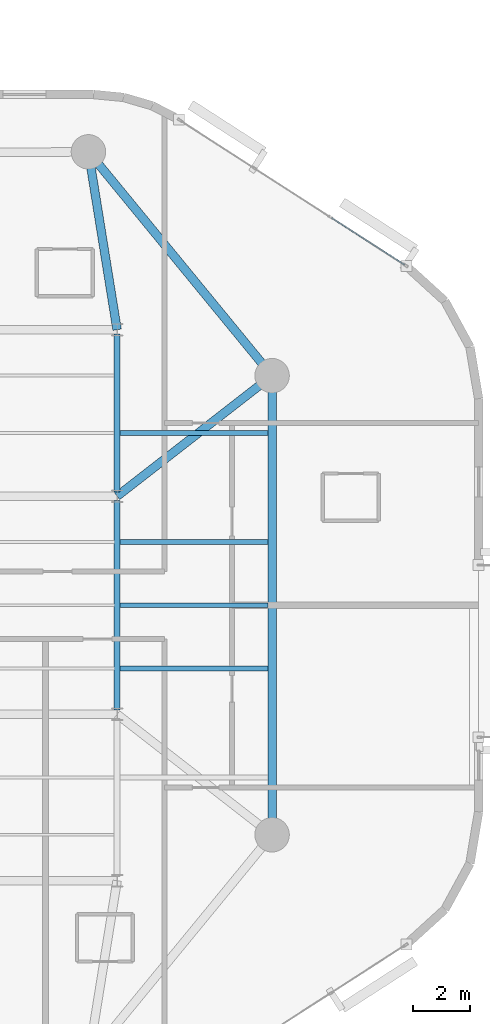
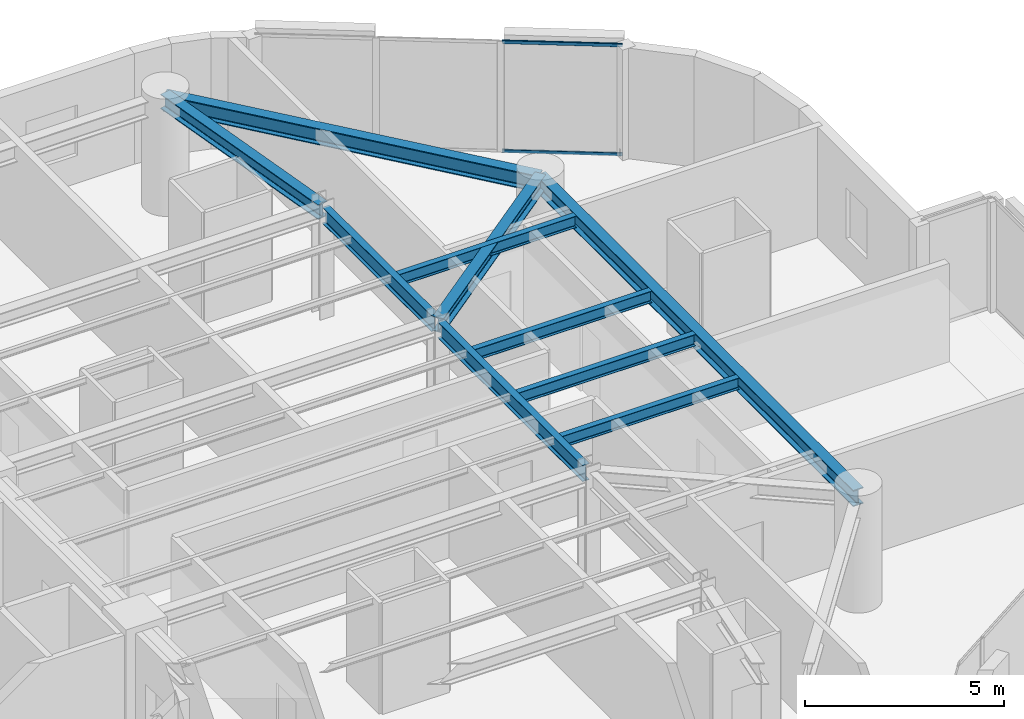
# One storey, part 5 of 16: 10 beams, 2 members, 1 element without a shape of its own.
"""IFC4 building model written with IfcOpenShell, lengths in metres."""

from ifc_helpers import new_model, si_unit, direction, frame, origin, origin_2d, place, context, subcontext, project, spatial, hollow_rectangle, i_section, extrude, material, layer, layer_set, material_profile, profile_set, type_object, element, aggregate, save


model = new_model("IFC4")

# Units and contexts
model_context = context("Model", 3, precision=1e-05, world=origin(), true_north=direction((0.0, 1.0)))
body_context = subcontext(model_context, "Body", "Model", "MODEL_VIEW")
ifc_project = project(units=[si_unit("LENGTHUNIT", "METRE"), si_unit("AREAUNIT", "SQUARE_METRE"), si_unit("VOLUMEUNIT", "CUBIC_METRE"), si_unit("PLANEANGLEUNIT", "RADIAN"), si_unit("MASSUNIT", "GRAM", prefix="KILO")], contexts=[model_context])

# Site, building, storey
site_placement = place(None, origin())
site = spatial("IfcSite", under=ifc_project, at=site_placement, CompositionType="ELEMENT")
building_placement = place(site_placement, origin())
building = spatial("IfcBuilding", under=site, at=building_placement, Name="An Khanh Terracotta Commons", CompositionType="ELEMENT")
storey_placement = place(building_placement, frame((0.0, 0.0, 151.0)))
storey = spatial("IfcBuildingStorey", under=building, at=storey_placement, Name="L39", CompositionType="ELEMENT", Elevation=151.0)

# Beams
ifc_material_1 = material(Name="Steel S355J2", Category="steel")
ifc_material_profile_1 = material_profile(ifc_material_1, i_section(OverallWidth=0.300048828125, OverallDepth=0.449951171875, WebThickness=0.013916015625, FlangeThickness=0.02587890625, FilletRadius=0.027099609375, at=origin_2d()), Name="HEB450")
ifc_profile_set_1 = profile_set([ifc_material_profile_1], Name="Steel S355J2")
beam_type_1 = type_object("IfcBeamType", Name="BM-HEB450", PredefinedType="BEAM", material=ifc_profile_set_1)
beam_1_placement = place(storey_placement, frame((55.800048828125, 32.0, 3.175048828125), z_axis=(-0.789363746927, -0.61392578952, 0.0), x_axis=(0.61392578952, -0.789363746927, 0.0)))
element("IfcBeam", 1, at=beam_1_placement, inside=storey, type_object=beam_type_1, Name="L39 Mega-Column Tie Girder 4", PredefinedType="BEAM", context=body_context, shape_type="SweptSolid", body=[
    extrude(i_section(OverallWidth=0.300048828125, OverallDepth=0.449951171875, WebThickness=0.013916015625, FlangeThickness=0.02587890625, FilletRadius=0.027099609375, at=origin_2d()), origin(), (0.0, 0.0, 1.0), 6.841064453125),
])
beam_2_placement = place(storey_placement, frame((49.39990234375, 39.800048828125, 3.175048828125), z_axis=(0.159233661074, -0.987240923575, 0.0), x_axis=(0.987240923575, 0.159233661074, 0.0)))
element("IfcBeam", 2, at=beam_2_placement, inside=storey, type_object=beam_type_1, Name="L39 Mega-Column Tie Girder 5", PredefinedType="BEAM", context=body_context, shape_type="SweptSolid", body=[
    extrude(i_section(OverallWidth=0.300048828125, OverallDepth=0.449951171875, WebThickness=0.013916015625, FlangeThickness=0.02587890625, FilletRadius=0.027099609375, at=origin_2d()), origin(), (0.0, 0.0, 1.0), 6.280029296875),
])
ifc_material_profile_2 = material_profile(ifc_material_1, i_section(OverallWidth=0.300048828125, OverallDepth=0.5, WebThickness=0.014404296875, FlangeThickness=0.028076171875, FilletRadius=0.027099609375, at=origin_2d()), Name="HEB500")
ifc_profile_set_2 = profile_set([ifc_material_profile_2], Name="Steel S355J2")
beam_type_2 = type_object("IfcBeamType", Name="BM-HEB500", PredefinedType="BEAM", material=ifc_profile_set_2)
beam_3_placement = place(storey_placement, frame((55.800048828125, 16.0, 3.14990234375), z_axis=(0.0, 1.0, 0.0), x_axis=(-1.0, 0.0, 0.0)))
element("IfcBeam", 3, at=beam_3_placement, inside=storey, type_object=beam_type_2, Name="L39 Perimeter Ring Spandrel 3", PredefinedType="BEAM", context=body_context, shape_type="SweptSolid", body=[
    extrude(i_section(OverallWidth=0.300048828125, OverallDepth=0.5, WebThickness=0.014404296875, FlangeThickness=0.028076171875, FilletRadius=0.027099609375, at=origin_2d()), origin(), (0.0, 0.0, 1.0), 16.0),
])
beam_4_placement = place(storey_placement, frame((55.800048828125, 32.0, 3.14990234375), z_axis=(-0.634322915223, 0.7730681983, 0.0), x_axis=(-0.7730681983, -0.634322915223, 0.0)))
element("IfcBeam", 4, at=beam_4_placement, inside=storey, type_object=beam_type_2, Name="L39 Perimeter Ring Spandrel 4", PredefinedType="BEAM", context=body_context, shape_type="SweptSolid", body=[
    extrude(i_section(OverallWidth=0.300048828125, OverallDepth=0.5, WebThickness=0.014404296875, FlangeThickness=0.028076171875, FilletRadius=0.027099609375, at=origin_2d()), origin(), (0.0, 0.0, 1.0), 10.08984375),
])
ifc_material_profile_3 = material_profile(ifc_material_1, i_section(OverallWidth=0.169921875, OverallDepth=0.360107421875, WebThickness=0.008056640625, FlangeThickness=0.0126953125, FilletRadius=0.01806640625, at=origin_2d()), Name="IPE360")
ifc_profile_set_3 = profile_set([ifc_material_profile_3], Name="Steel S355J2")
beam_type_3 = type_object("IfcBeamType", Name="BM-IPE360", PredefinedType="JOIST", material=ifc_profile_set_3)
for number, where, z_axis, x_axis, name in (
    (5, (50.5, 21.800048828125, 3.219970703125), (1.0, 0.0, 0.0), (0.0, 1.0, 0.0), "L39 Riverfront Composite Joist 3"),
    (6, (50.5, 24.0, 3.219970703125), (1.0, 0.0, 0.0), (0.0, 1.0, 0.0), "L39 Riverfront Composite Joist 4"),
    (7, (50.5, 26.199951171875, 3.219970703125), (1.0, 0.0, 0.0), (0.0, 1.0, 0.0), "L39 Riverfront Composite Joist 5"),
    (8, (50.5, 30.0, 3.219970703125), (1.0, 0.0, 0.0), (0.0, 1.0, 0.0), "L39 Riverfront Composite Joist 6"),
):
    element("IfcBeam", number, at=place(storey_placement, frame(where, z_axis=z_axis, x_axis=x_axis)), inside=storey, type_object=beam_type_3, Name=name, PredefinedType="JOIST", context=body_context, shape_type="SweptSolid", body=[
        extrude(i_section(OverallWidth=0.169921875, OverallDepth=0.360107421875, WebThickness=0.008056640625, FlangeThickness=0.0126953125, FilletRadius=0.01806640625, at=origin_2d()), origin(), (0.0, 0.0, 1.0), 5.14990234375),
    ])
ifc_material_profile_4 = material_profile(ifc_material_1, i_section(OverallWidth=0.199951171875, OverallDepth=0.5, WebThickness=0.01025390625, FlangeThickness=0.01611328125, FilletRadius=0.02099609375, at=origin_2d()), Name="IPE500")
ifc_profile_set_4 = profile_set([ifc_material_profile_4], Name="Steel S355J2")
beam_type_4 = type_object("IfcBeamType", Name="BM-IPE500", PredefinedType="BEAM", material=ifc_profile_set_4)
beam_5_placement = place(storey_placement, frame((50.39990234375, 20.35009765625, 3.14990234375), z_axis=(0.0, 1.0, 0.0), x_axis=(-1.0, 0.0, 0.0)))
element("IfcBeam", 9, at=beam_5_placement, inside=storey, type_object=beam_type_4, Name="L39 East Spine Girder 2", PredefinedType="BEAM", context=body_context, shape_type="SweptSolid", body=[
    extrude(i_section(OverallWidth=0.199951171875, OverallDepth=0.5, WebThickness=0.01025390625, FlangeThickness=0.01611328125, FilletRadius=0.02099609375, at=origin_2d()), origin(), (0.0, 0.0, 1.0), 7.2998046875),
])
beam_6_placement = place(storey_placement, frame((50.39990234375, 27.949951171875, 3.14990234375), z_axis=(0.0, 1.0, 0.0), x_axis=(-1.0, 0.0, 0.0)))
element("IfcBeam", 10, at=beam_6_placement, inside=storey, type_object=beam_type_4, Name="L39 East Spine Girder 3", PredefinedType="BEAM", context=body_context, shape_type="SweptSolid", body=[
    extrude(i_section(OverallWidth=0.199951171875, OverallDepth=0.5, WebThickness=0.01025390625, FlangeThickness=0.01611328125, FilletRadius=0.02099609375, at=origin_2d()), origin(), (0.0, 0.0, 1.0), 5.5),
])

# Curtain wall, members
ifc_material_2 = material(Name="Anodised Aluminium 6063-T6", Category="aluminium")
ifc_layer = layer(ifc_material_2, 0.2099609375, Name="Anodised Aluminium 6063-T6")
ifc_layer_set = layer_set([ifc_layer], Name="Anodised Aluminium 6063-T6")
curtain_wall_type = type_object("IfcCurtainWallType", Name="CW-SYS-03", PredefinedType="USERDEFINED", material=ifc_layer_set)
curtain_wall_placement = place(storey_placement, origin())
curtain_wall = element("IfcCurtainWall", 11, at=curtain_wall_placement, inside=storey, type_object=curtain_wall_type, Name="L39 CW-03 Unitised Curtain Wall CW-L39-16", ObjectType="UNITISED CURTAIN WALL", PredefinedType="USERDEFINED")
ifc_material_profile_5 = material_profile(ifc_material_2, hollow_rectangle(XDim=0.050048828125, YDim=0.10009765625, WallThickness=0.003173828125, InnerFilletRadius=0.003173828125, OuterFilletRadius=0.00634765625, at=origin_2d()), Name="RHS100x50x3.2")
ifc_profile_set_5 = profile_set([ifc_material_profile_5], Name="Anodised Aluminium 6063-T6")
member_type = type_object("IfcMemberType", Name="CWT-RHS100x50x3.2", PredefinedType="USERDEFINED", material=ifc_profile_set_5)
member_1_placement = place(storey_placement, frame((60.419189453125, 35.86181640625, 0.02490234375), z_axis=(-0.840673595852, 0.541542154626, 0.0), x_axis=(-0.541542154626, -0.840673595852, 0.0)))
member_1 = element("IfcMember", 12, at=member_1_placement, type_object=member_type, Name="CW-03 transom 1.1", ObjectType="TRANSOM", PredefinedType="USERDEFINED", context=body_context, shape_type="SweptSolid", body=[
    extrude(hollow_rectangle(XDim=0.050048828125, YDim=0.10009765625, WallThickness=0.003173828125, InnerFilletRadius=0.003173828125, OuterFilletRadius=0.00634765625, at=origin_2d()), origin(), (0.0, 0.0, 1.0), 3.034423828125),
])
member_2_placement = place(storey_placement, frame((60.419189453125, 35.86181640625, 3.375), z_axis=(-0.840673595852, 0.541542154626, 0.0), x_axis=(-0.541542154626, -0.840673595852, 0.0)))
member_2 = element("IfcMember", 13, at=member_2_placement, type_object=member_type, Name="CW-03 transom 1.2", ObjectType="TRANSOM", PredefinedType="USERDEFINED", context=body_context, shape_type="SweptSolid", body=[
    extrude(hollow_rectangle(XDim=0.050048828125, YDim=0.10009765625, WallThickness=0.003173828125, InnerFilletRadius=0.003173828125, OuterFilletRadius=0.00634765625, at=origin_2d()), origin(), (0.0, 0.0, 1.0), 3.034423828125),
])
aggregate(curtain_wall, [member_1, member_2])

save(model, "model.ifc")
